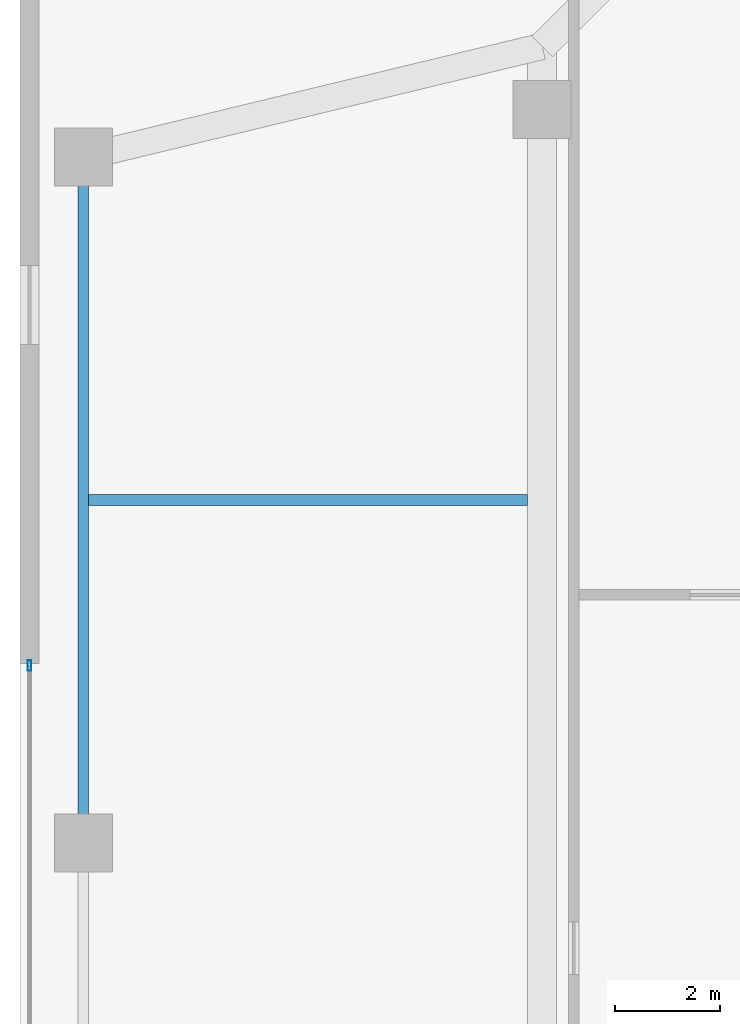
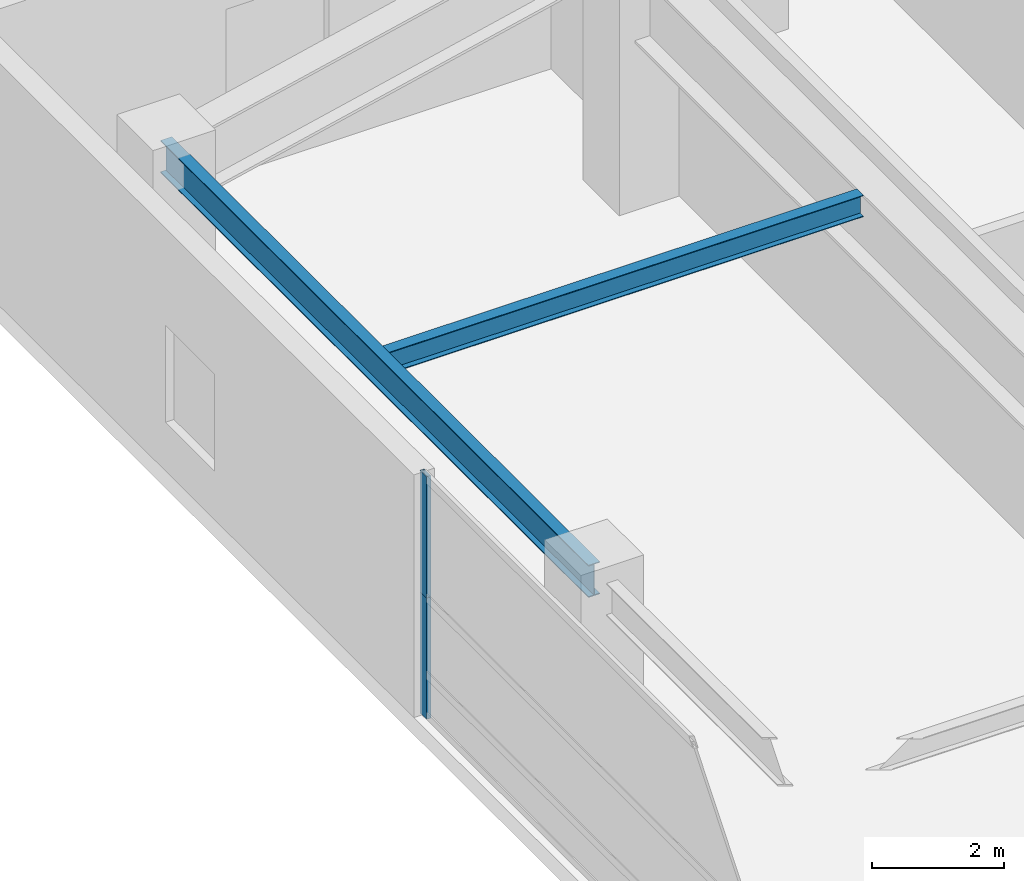
# One storey, part 17 of 34: 2 beams, 2 members, 1 element without a shape of its own.
"""IFC4 building model written with IfcOpenShell, lengths in metres."""

from ifc_helpers import new_model, si_unit, direction, frame, origin, origin_2d, place, context, subcontext, project, spatial, hollow_rectangle, i_section, extrude, source, transform, mapped, material, layer, layer_set, material_profile, profile_set, type_object, element, aggregate, save


model = new_model("IFC4")

# Units and contexts
model_context = context("Model", 3, precision=1e-05, world=origin(), true_north=direction((0.0, 1.0)))
body_context = subcontext(model_context, "Body", "Model", "MODEL_VIEW")
ifc_project = project(units=[si_unit("LENGTHUNIT", "METRE"), si_unit("AREAUNIT", "SQUARE_METRE"), si_unit("VOLUMEUNIT", "CUBIC_METRE"), si_unit("PLANEANGLEUNIT", "RADIAN"), si_unit("MASSUNIT", "GRAM", prefix="KILO"), si_unit("THERMODYNAMICTEMPERATUREUNIT", "KELVIN"), si_unit("POWERUNIT", "WATT")], contexts=[model_context])

# Site, building, storey
site_placement = place(None, origin())
site = spatial("IfcSite", under=ifc_project, at=site_placement, CompositionType="ELEMENT")
building_placement = place(site_placement, origin())
building = spatial("IfcBuilding", under=site, at=building_placement, Name="Yuzanri Waterfront Tower", CompositionType="ELEMENT")
storey_placement = place(building_placement, frame((0.0, 0.0, 25.800048828125)))
storey = spatial("IfcBuildingStorey", under=building, at=storey_placement, Name="L06", CompositionType="ELEMENT", Elevation=25.800048828125)

# Beams
ifc_material_1 = material(Name="Steel Q355B", Category="steel")
ifc_material_profile_1 = material_profile(ifc_material_1, i_section(OverallWidth=0.199951171875, OverallDepth=0.60009765625, WebThickness=0.010986328125, FlangeThickness=0.01708984375, at=origin_2d()), Name="HN 600x200x11x17")
ifc_profile_set_1 = profile_set([ifc_material_profile_1], Name="Steel Q355B")
beam_type_1 = type_object("IfcBeamType", Name="Perimeter Spandrel Q355B HN 600x200", PredefinedType="SPANDREL", material=ifc_profile_set_1)
shared_shape_1 = source(origin(), body_context, "Body", "SweptSolid", [
    extrude(i_section(OverallWidth=0.199951171875, OverallDepth=0.60009765625, WebThickness=0.010986328125, FlangeThickness=0.01708984375, at=origin_2d()), origin(), (0.0, 0.0, 1.0), 13.0),
])
beam_1_placement = place(storey_placement, frame((3.199951171875, 32.199951171875, 4.199951171875), z_axis=(0.0, 1.0, 0.0), x_axis=(-1.0, 0.0, 0.0)))
element("IfcBeam", 1, at=beam_1_placement, inside=storey, type_object=beam_type_1, Name="L06 West Podium Spandrel 3", PredefinedType="SPANDREL", context=body_context, shape_type="MappedRepresentation", body=[
    mapped(shared_shape_1, transform((0.0, 0.0, 0.0), scale=1.0)),
])
ifc_material_2 = material(Name="Steel Q355B", Category="steel")
ifc_material_profile_2 = material_profile(ifc_material_2, i_section(OverallWidth=0.199951171875, OverallDepth=0.39990234375, WebThickness=0.008056640625, FlangeThickness=0.012939453125, at=origin_2d()), Name="HN 400x200x8x13")
ifc_profile_set_2 = profile_set([ifc_material_profile_2], Name="Steel Q355B")
beam_type_2 = type_object("IfcBeamType", Name="Floor Joist Q355B HN 400x200", PredefinedType="JOIST", material=ifc_profile_set_2)
shared_shape_2 = source(origin(), body_context, "Body", "SweptSolid", [
    extrude(i_section(OverallWidth=0.199951171875, OverallDepth=0.39990234375, WebThickness=0.008056640625, FlangeThickness=0.012939453125, at=origin_2d()), origin(), (0.0, 0.0, 1.0), 8.320068359375),
])
beam_2_placement = place(storey_placement, frame((3.300048828125, 38.699951171875, 4.300048828125), z_axis=(1.0, 0.0, 0.0), x_axis=(0.0, 1.0, 0.0)))
element("IfcBeam", 2, at=beam_2_placement, inside=storey, type_object=beam_type_2, Name="L06 West Podium Roof Joist 3", PredefinedType="JOIST", context=body_context, shape_type="MappedRepresentation", body=[
    mapped(shared_shape_2, transform((0.0, 0.0, 0.0), scale=1.0)),
])

# Curtain wall, members
ifc_material_3 = material(Name="Anodized Architectural Bronze", Category="metal")
ifc_layer = layer(ifc_material_3, 0.159912109375)
ifc_layer_set = layer_set([ifc_layer], Name="Anodized Architectural Bronze")
curtain_wall_type = type_object("IfcCurtainWallType", Name="Anodized Bronze Podium Waterfront Double-Height Unitized Curtain Wall 8400", PredefinedType="NOTDEFINED", material=ifc_layer_set)
curtain_wall_placement = place(storey_placement, origin())
curtain_wall = element("IfcCurtainWall", 3, at=curtain_wall_placement, inside=storey, type_object=curtain_wall_type, Name="L06 Curtain Wall CW-L06-W", PredefinedType="NOTDEFINED")
ifc_material_4 = material(Name="Anodized Architectural Bronze", Category="metal")
ifc_material_profile_3 = material_profile(ifc_material_4, hollow_rectangle(XDim=0.074951171875, YDim=0.199951171875, WallThickness=0.00390625, at=origin_2d()), Name="CWM 75x200")
ifc_profile_set_3 = profile_set([ifc_material_profile_3], Name="Anodized Architectural Bronze")
member_type = type_object("IfcMemberType", Name="Anodized Bronze Primary Curtain-Wall Mullion 75x200", PredefinedType="MULLION", material=ifc_profile_set_3)
shared_shape_3 = source(origin(), body_context, "Body", "SweptSolid", [
    extrude(hollow_rectangle(XDim=0.074951171875, YDim=0.199951171875, WallThickness=0.00390625, at=origin_2d()), origin(), (0.0, 0.0, 1.0), 2.248046875),
])
member_1_placement = place(storey_placement, frame((2.179931640625, 35.56005859375, 0.0), z_axis=(0.0, 0.0, 1.0), x_axis=(1.0, 0.0, 0.0)))
member_1 = element("IfcMember", 4, at=member_1_placement, type_object=member_type, Name="CW-L06-W Lower Mullion 02", PredefinedType="MULLION", context=body_context, shape_type="MappedRepresentation", body=[
    mapped(shared_shape_3, transform((0.0, 0.0, 0.0), scale=1.0)),
])
member_2_placement = place(storey_placement, frame((2.179931640625, 35.56005859375, 2.251953125), z_axis=(0.0, 0.0, 1.0), x_axis=(1.0, 0.0, 0.0)))
member_2 = element("IfcMember", 5, at=member_2_placement, type_object=member_type, Name="CW-L06-W Upper Mullion 02", PredefinedType="MULLION", context=body_context, shape_type="MappedRepresentation", body=[
    mapped(shared_shape_3, transform((0.0, 0.0, 0.0), scale=1.0)),
])
aggregate(curtain_wall, [member_1, member_2])

save(model, "model.ifc")
